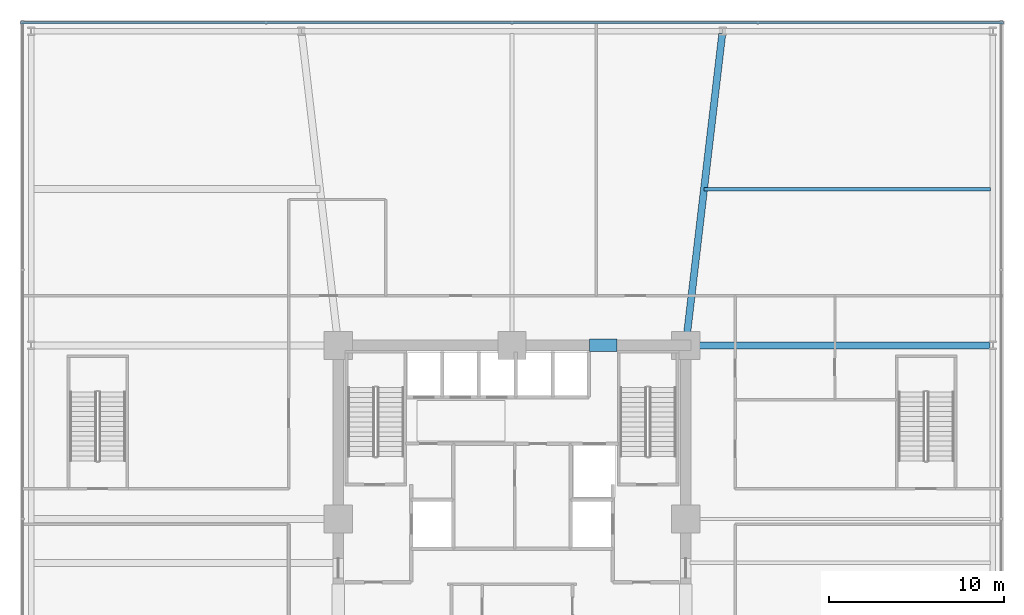
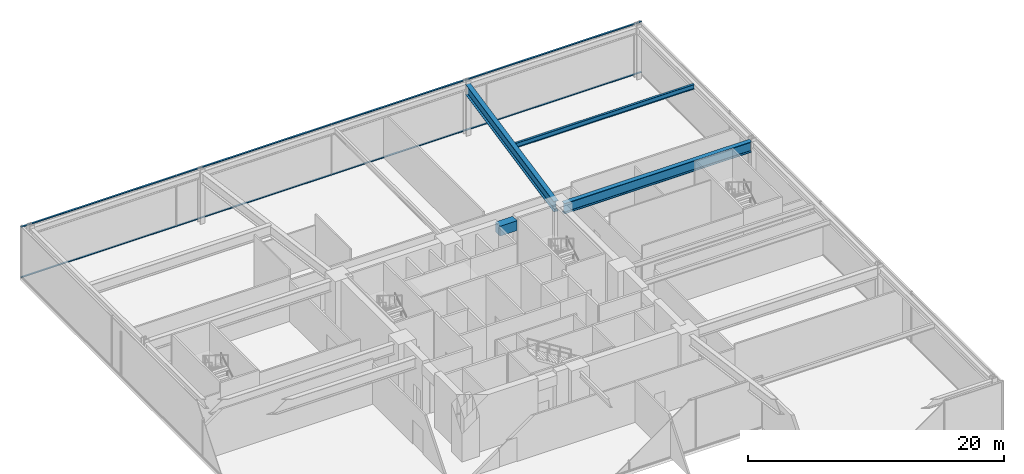
# One storey, part 34 of 49: 4 beams, 2 members, 1 element without a shape of its own.
"""IFC4 building model written with IfcOpenShell, lengths in metres."""

from ifc_helpers import new_model, si_unit, direction, frame, origin, origin_2d, place, context, subcontext, project, spatial, rectangle, hollow_rectangle, i_section, extrude, material, material_profile, profile_set, type_object, element, aggregate, save


model = new_model("IFC4")

# Units and contexts
model_context = context("Model", 3, precision=1e-05, world=origin(), true_north=direction((0.0, 1.0)))
body_context = subcontext(model_context, "Body", "Model", "MODEL_VIEW")
ifc_project = project(units=[si_unit("LENGTHUNIT", "METRE"), si_unit("AREAUNIT", "SQUARE_METRE"), si_unit("VOLUMEUNIT", "CUBIC_METRE"), si_unit("PLANEANGLEUNIT", "RADIAN"), si_unit("MASSUNIT", "GRAM", prefix="KILO")], contexts=[model_context])

# Site, building, storey
site_placement = place(None, origin())
site = spatial("IfcSite", under=ifc_project, at=site_placement, CompositionType="ELEMENT")
building_placement = place(site_placement, origin())
building = spatial("IfcBuilding", under=site, at=building_placement, Name="Kolvaren Belvedere", CompositionType="ELEMENT")
storey_placement = place(building_placement, frame((0.0, 0.0, 10.0)))
storey = spatial("IfcBuildingStorey", under=building, at=storey_placement, Name="L03", CompositionType="ELEMENT", Elevation=10.0)

# Beams
ifc_material_1 = material(Name="Structural steel ASTM A992 Grade 50", Category="steel")
ifc_material_profile_1 = material_profile(ifc_material_1, i_section(OverallWidth=0.40087890625, OverallDepth=1.010986328125, WebThickness=0.023681640625, FlangeThickness=0.0419921875, FilletRadius=0.030029296875, at=origin_2d()), Name="W40X297")
ifc_profile_set_1 = profile_set([ifc_material_profile_1], Name="Structural steel ASTM A992 Grade 50")
beam_type_1 = type_object("IfcBeamType", Name="BM-BALL-W40X297", PredefinedType="BEAM", material=ifc_profile_set_1)
beam_1_placement = place(storey_placement, frame((10.35009765625, 9.89990234375, 4.41455078125), z_axis=(1.0, 0.0, 0.0), x_axis=(0.0, 1.0, 0.0)))
element("IfcBeam", 1, at=beam_1_placement, inside=storey, type_object=beam_type_1, Name="L03 East Interior Girder N", PredefinedType="BEAM", context=body_context, shape_type="SweptSolid", body=[
    extrude(i_section(OverallWidth=0.40087890625, OverallDepth=1.010986328125, WebThickness=0.023681640625, FlangeThickness=0.0419921875, FilletRadius=0.030029296875, at=origin_2d()), origin(), (0.0, 0.0, 1.0), 16.89990234375),
])
beam_2_placement = place(storey_placement, frame((9.952392578125, 10.346923828125, 4.41455078125), z_axis=(0.116516841483, 0.993188716031, 0.0), x_axis=(-0.993188716031, 0.116516841483, 0.0)))
element("IfcBeam", 2, at=beam_2_placement, inside=storey, type_object=beam_type_1, Name="L03 North-East Radial Girder", PredefinedType="BEAM", context=body_context, shape_type="SweptSolid", body=[
    extrude(i_section(OverallWidth=0.40087890625, OverallDepth=1.010986328125, WebThickness=0.023681640625, FlangeThickness=0.0419921875, FilletRadius=0.030029296875, at=origin_2d()), origin(), (0.0, 0.0, 1.0), 17.422607421875),
])
ifc_material_2 = material(Name="Structural steel ASTM A992 Grade 50", Category="steel")
ifc_material_profile_2 = material_profile(ifc_material_2, i_section(OverallWidth=0.19091796875, OverallDepth=0.4599609375, WebThickness=0.010009765625, FlangeThickness=0.01611328125, FilletRadius=0.014892578125, at=origin_2d()), Name="W18X55")
ifc_profile_set_2 = profile_set([ifc_material_profile_2], Name="Structural steel ASTM A992 Grade 50")
beam_type_2 = type_object("IfcBeamType", Name="BM-JOIST-W18X55", PredefinedType="BEAM", material=ifc_profile_set_2)
beam_3_placement = place(storey_placement, frame((10.93994140625, 18.800048828125, 4.68994140625), z_axis=(1.0, 0.0, 0.0), x_axis=(0.0, 1.0, 0.0)))
element("IfcBeam", 3, at=beam_3_placement, inside=storey, type_object=beam_type_2, Name="L03 East Bay Floor Beam", PredefinedType="BEAM", context=body_context, shape_type="SweptSolid", body=[
    extrude(i_section(OverallWidth=0.19091796875, OverallDepth=0.4599609375, WebThickness=0.010009765625, FlangeThickness=0.01611328125, FilletRadius=0.014892578125, at=origin_2d()), origin(), (0.0, 0.0, 1.0), 16.340087890625),
])
ifc_material_3 = material(Name="Concrete C60/75", Category="concrete")
ifc_material_profile_3 = material_profile(ifc_material_3, rectangle(XDim=0.699951171875, YDim=0.949951171875, at=origin_2d()), Name="RC 700X950")
ifc_profile_set_3 = profile_set([ifc_material_profile_3], Name="Concrete C60/75")
beam_type_3 = type_object("IfcBeamType", Name="BM-LINT-950", PredefinedType="LINTEL", material=ifc_profile_set_3)
beam_4_placement = place(storey_placement, frame((4.419921875, 9.89990234375, 4.445068359375), z_axis=(1.0, 0.0, 0.0), x_axis=(0.0, 1.0, 0.0)))
element("IfcBeam", 4, at=beam_4_placement, inside=storey, type_object=beam_type_3, Name="L03 North Core Coupling Lintel", PredefinedType="LINTEL", context=body_context, shape_type="SweptSolid", body=[
    extrude(rectangle(XDim=0.699951171875, YDim=0.949951171875, at=origin_2d()), origin(), (0.0, 0.0, 1.0), 1.56005859375),
])

# Curtain wall, members
ifc_material_4 = material(Name="Anodised pale-metal aluminium AA 6063-T6", Category="aluminium")
curtain_wall_type = type_object("IfcCurtainWallType", Name="CW-POD-A", PredefinedType="NOTDEFINED", material=ifc_material_4)
curtain_wall_placement = place(storey_placement, origin())
curtain_wall = element("IfcCurtainWall", 5, at=curtain_wall_placement, inside=storey, type_object=curtain_wall_type, Name="L03 Unitised Curtain Wall FCW-L03-SEG7", PredefinedType="NOTDEFINED")
ifc_material_5 = material(Name="Anodised pale-metal aluminium AA 6063-T6", Category="aluminium")
ifc_material_profile_4 = material_profile(ifc_material_5, hollow_rectangle(XDim=0.06494140625, YDim=0.159912109375, WallThickness=0.00390625, at=origin_2d()), Name="ALU-TRN-160X65")
ifc_profile_set_4 = profile_set([ifc_material_profile_4], Name="Anodised pale-metal aluminium AA 6063-T6")
member_type = type_object("IfcMemberType", Name="CW-TRN-160", PredefinedType="USERDEFINED", material=ifc_profile_set_4)
member_1_placement = place(storey_placement, frame((-28.0, 28.280029296875, 0.06005859375), z_axis=(1.0, 0.0, 0.0), x_axis=(0.0, 0.0, 1.0)))
member_1 = element("IfcMember", 6, at=member_1_placement, type_object=member_type, Name="FCW-L03-SEG7 Sill Transom", ObjectType="TRANSOM", PredefinedType="USERDEFINED", context=body_context, shape_type="SweptSolid", body=[
    extrude(hollow_rectangle(XDim=0.06494140625, YDim=0.159912109375, WallThickness=0.00390625, at=origin_2d()), origin(), (0.0, 0.0, 1.0), 56.0),
])
member_2_placement = place(storey_placement, frame((-28.0, 28.280029296875, 4.860107421875), z_axis=(1.0, 0.0, 0.0), x_axis=(0.0, 0.0, 1.0)))
member_2 = element("IfcMember", 7, at=member_2_placement, type_object=member_type, Name="FCW-L03-SEG7 Head Transom", ObjectType="TRANSOM", PredefinedType="USERDEFINED", context=body_context, shape_type="SweptSolid", body=[
    extrude(hollow_rectangle(XDim=0.06494140625, YDim=0.159912109375, WallThickness=0.00390625, at=origin_2d()), origin(), (0.0, 0.0, 1.0), 56.0),
])
aggregate(curtain_wall, [member_1, member_2])

save(model, "model.ifc")
